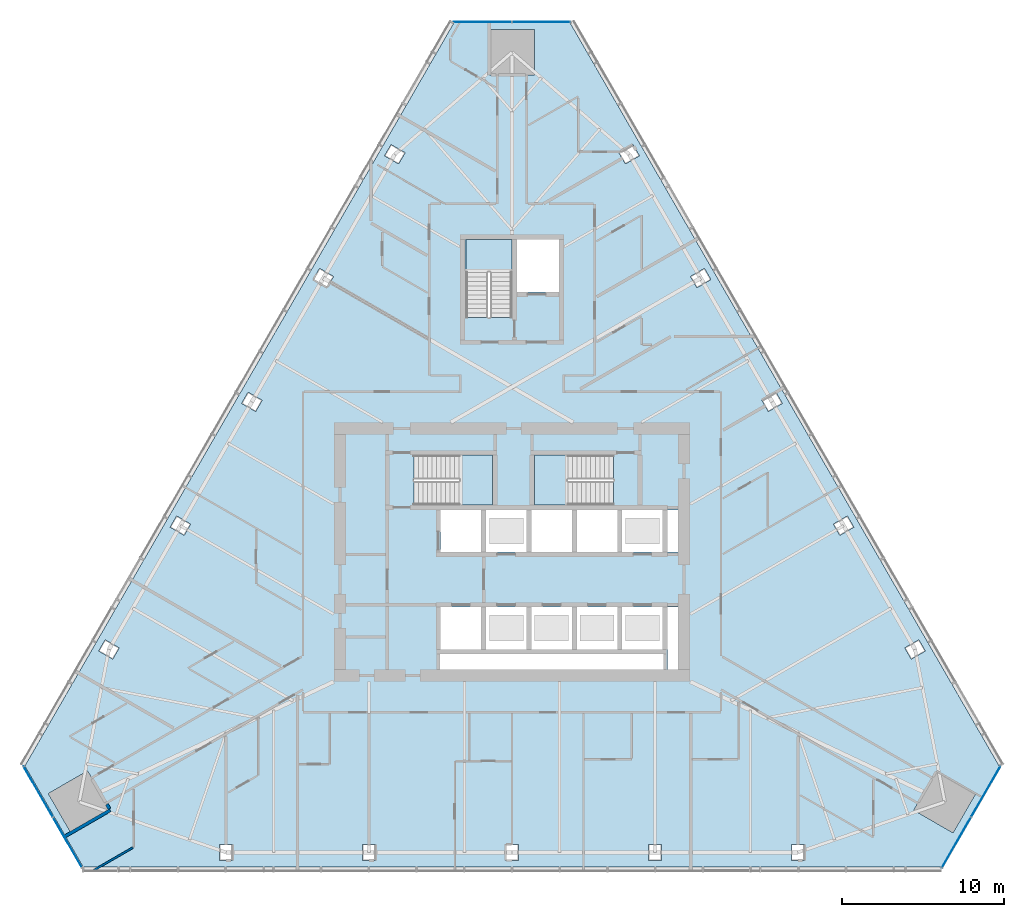
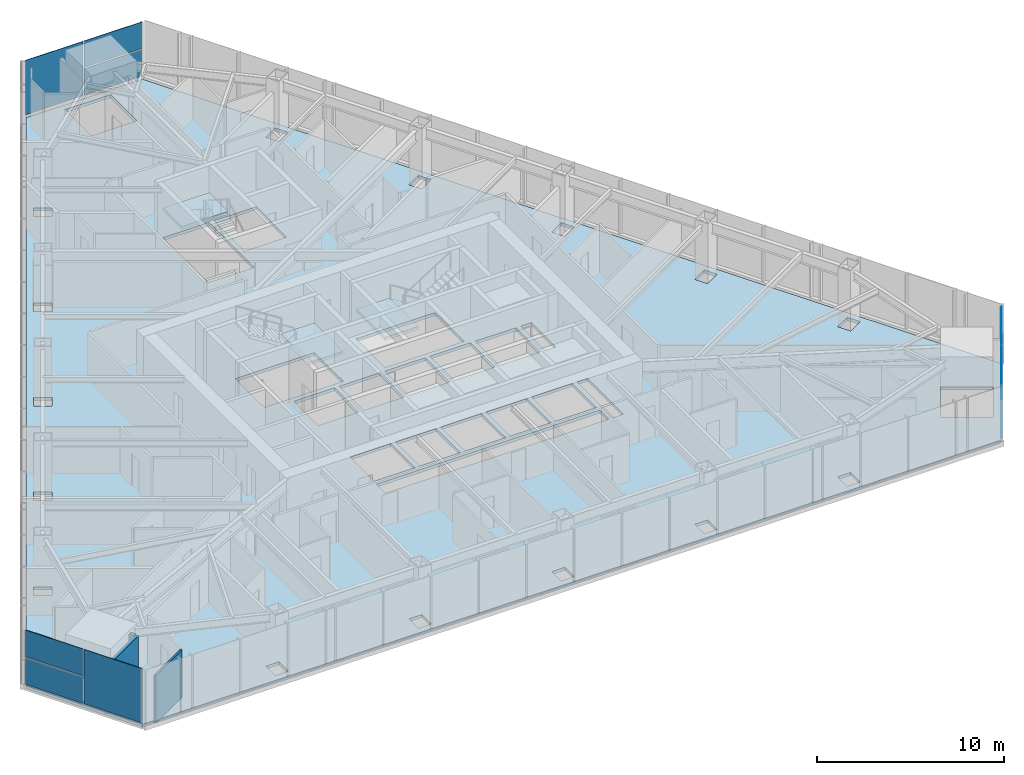
# One storey, part 12 of 19: 10 plates, 4 slabs, 3 walls, 6 elements without a shape of their own.
"""IFC4 building model written with IfcOpenShell, lengths in metres."""

from ifc_helpers import new_model, si_unit, direction, frame, frame_2d, origin, place, context, subcontext, project, spatial, polyline, rectangle, outline, extrude, material, layer, layer_set, type_object, element, aggregate, save


model = new_model("IFC4")

# Units and contexts
model_context = context("Model", 3, precision=1e-05, world=origin(), true_north=direction((0.0, 1.0)))
body_context = subcontext(model_context, "Body", "Model", "MODEL_VIEW")
ifc_project = project(units=[si_unit("LENGTHUNIT", "METRE"), si_unit("AREAUNIT", "SQUARE_METRE"), si_unit("VOLUMEUNIT", "CUBIC_METRE"), si_unit("PLANEANGLEUNIT", "RADIAN"), si_unit("MASSUNIT", "GRAM", prefix="KILO")], contexts=[model_context])

# Site, building, storey
site_placement = place(None, origin())
site = spatial("IfcSite", under=ifc_project, at=site_placement, CompositionType="ELEMENT")
building_placement = place(site_placement, origin())
building = spatial("IfcBuilding", under=site, at=building_placement, Name="Firuza Gate Tower and Library", CompositionType="ELEMENT")
storey_placement = place(building_placement, frame((0.0, 0.0, 183.10009765625)))
storey = spatial("IfcBuildingStorey", under=building, at=storey_placement, Name="L42", CompositionType="ELEMENT", Elevation=183.10009765625)

# Slab
ifc_material_1 = material(Name="Concrete C40/50", Category="concrete")
ifc_layer_1 = layer(ifc_material_1, 0.199951171875)
ifc_layer_set_1 = layer_set([ifc_layer_1], Name="Composite floor slab 200 C40/50")
slab_type_1 = type_object("IfcSlabType", Name="Composite floor slab 200 C40/50", PredefinedType="FLOOR", material=ifc_layer_set_1)
slab_1_placement = place(storey_placement, frame((0.0, 0.0, -0.2001953125)))
element("IfcSlab", 1, at=slab_1_placement, inside=storey, type_object=slab_type_1, Name="Floor slab L42", PredefinedType="FLOOR", context=body_context, shape_type="SweptSolid", body=[
    extrude(outline(polyline([(44.928466796875, 61.795166015625), (48.5283203125, 55.559814453125), (101.4716796875, 55.559814453125), (105.071533203125, 61.795166015625), (78.60009765625, 107.645263671875), (71.39990234375, 107.645263671875), (44.928466796875, 61.795166015625)]), holes=[polyline([(56.952392578125, 55.959716796875), (56.952392578125, 56.959716796875), (57.752197265625, 56.959716796875), (57.752197265625, 55.959716796875), (56.952392578125, 55.959716796875)]), polyline([(74.60009765625, 55.959716796875), (74.60009765625, 56.959716796875), (75.39990234375, 56.959716796875), (75.39990234375, 55.959716796875), (74.60009765625, 55.959716796875)]), polyline([(65.776123046875, 55.959716796875), (65.776123046875, 56.959716796875), (66.576171875, 56.959716796875), (66.576171875, 55.959716796875), (65.776123046875, 55.959716796875)]), polyline([(46.374755859375, 60.08984375), (48.7998046875, 61.48974609375), (50.19970703125, 59.06494140625), (47.77490234375, 57.6650390625), (46.374755859375, 60.08984375)]), polyline([(84.35009765625, 67.75), (70.550048828125, 67.75), (70.550048828125, 68.699951171875), (84.35009765625, 68.699951171875), (84.35009765625, 67.75)]), polyline([(49.88671875, 69.583251953125), (50.752685546875, 69.083251953125), (50.352783203125, 68.390380859375), (49.48681640625, 68.890380859375), (49.88671875, 69.583251953125)]), polyline([(73.10009765625, 69.0), (70.60009765625, 69.0), (70.60009765625, 71.60009765625), (73.10009765625, 71.60009765625), (73.10009765625, 69.0)]), polyline([(75.89990234375, 69.0), (73.39990234375, 69.0), (73.39990234375, 71.60009765625), (75.89990234375, 71.60009765625), (75.89990234375, 69.0)]), polyline([(73.10009765625, 75.0), (70.60009765625, 75.0), (70.60009765625, 77.60009765625), (73.10009765625, 77.60009765625), (73.10009765625, 75.0)]), polyline([(75.89990234375, 75.0), (73.39990234375, 75.0), (73.39990234375, 77.60009765625), (75.89990234375, 77.60009765625), (75.89990234375, 75.0)]), polyline([(54.298583984375, 77.224853515625), (55.164794921875, 76.724853515625), (54.7646484375, 76.031982421875), (53.898681640625, 76.531982421875), (54.298583984375, 77.224853515625)]), polyline([(73.81005859375, 77.89990234375), (68.9404296875, 77.89990234375), (68.9404296875, 80.97998046875), (73.81005859375, 80.97998046875), (73.81005859375, 77.89990234375)]), polyline([(58.710693359375, 84.866455078125), (59.57666015625, 84.366455078125), (59.1767578125, 83.673828125), (58.310546875, 84.173828125), (58.710693359375, 84.866455078125)]), polyline([(72.159912109375, 89.470458984375), (72.159912109375, 94.300048828125), (75.0, 94.300048828125), (75.0, 89.470458984375), (72.159912109375, 89.470458984375)]), polyline([(63.12255859375, 92.50830078125), (63.988525390625, 92.00830078125), (63.588623046875, 91.3154296875), (62.72265625, 91.8154296875), (63.12255859375, 92.50830078125)]), polyline([(75.300048828125, 91.050048828125), (75.300048828125, 94.300048828125), (77.89990234375, 94.300048828125), (77.89990234375, 91.050048828125), (75.300048828125, 91.050048828125)]), polyline([(68.400390625, 99.64990234375), (68.00048828125, 98.95703125), (67.134521484375, 99.45703125), (67.534423828125, 100.14990234375), (68.400390625, 99.64990234375)]), polyline([(76.39990234375, 107.2451171875), (76.39990234375, 104.4453125), (73.60009765625, 104.4453125), (73.60009765625, 107.2451171875), (76.39990234375, 107.2451171875)]), polyline([(92.247802734375, 55.959716796875), (92.247802734375, 56.959716796875), (93.047607421875, 56.959716796875), (93.047607421875, 55.959716796875), (92.247802734375, 55.959716796875)]), polyline([(83.423828125, 55.959716796875), (83.423828125, 56.959716796875), (84.223876953125, 56.959716796875), (84.223876953125, 55.959716796875), (83.423828125, 55.959716796875)]), polyline([(102.22509765625, 57.6650390625), (99.80029296875, 59.06494140625), (101.2001953125, 61.48974609375), (103.625244140625, 60.08984375), (102.22509765625, 57.6650390625)]), polyline([(100.51318359375, 68.890380859375), (99.647216796875, 68.390380859375), (99.247314453125, 69.083251953125), (100.11328125, 69.583251953125), (100.51318359375, 68.890380859375)]), polyline([(85.25, 67.75), (84.60009765625, 67.75), (84.60009765625, 71.60009765625), (85.25, 71.60009765625), (85.25, 67.75)]), polyline([(81.5, 69.0), (79.0, 69.0), (79.0, 71.60009765625), (81.5, 71.60009765625), (81.5, 69.0)]), polyline([(81.800048828125, 69.0), (81.800048828125, 71.60009765625), (84.300048828125, 71.60009765625), (84.300048828125, 69.0), (81.800048828125, 69.0)]), polyline([(76.199951171875, 69.0), (76.199951171875, 71.60009765625), (78.699951171875, 71.60009765625), (78.699951171875, 69.0), (76.199951171875, 69.0)]), polyline([(81.5, 75.0), (79.0, 75.0), (79.0, 77.60009765625), (81.5, 77.60009765625), (81.5, 75.0)]), polyline([(84.300048828125, 75.0), (81.800048828125, 75.0), (81.800048828125, 77.60009765625), (84.300048828125, 77.60009765625), (84.300048828125, 75.0)]), polyline([(85.25, 75.0), (84.60009765625, 75.0), (84.60009765625, 77.60009765625), (85.25, 77.60009765625), (85.25, 75.0)]), polyline([(78.699951171875, 75.0), (76.199951171875, 75.0), (76.199951171875, 77.60009765625), (78.699951171875, 77.60009765625), (78.699951171875, 75.0)]), polyline([(96.101318359375, 76.531982421875), (95.2353515625, 76.031982421875), (94.835205078125, 76.724853515625), (95.701416015625, 77.224853515625), (96.101318359375, 76.531982421875)]), polyline([(81.259521484375, 77.89990234375), (76.389892578125, 77.89990234375), (76.389892578125, 80.97998046875), (81.259521484375, 80.97998046875), (81.259521484375, 77.89990234375)]), polyline([(91.689453125, 84.173828125), (90.8232421875, 83.673828125), (90.42333984375, 84.366455078125), (91.289306640625, 84.866455078125), (91.689453125, 84.173828125)]), polyline([(86.411376953125, 91.3154296875), (86.011474609375, 92.00830078125), (86.87744140625, 92.50830078125), (87.27734375, 91.8154296875), (86.411376953125, 91.3154296875)]), polyline([(81.99951171875, 98.95703125), (81.599609375, 99.64990234375), (82.465576171875, 100.14990234375), (82.865478515625, 99.45703125), (81.99951171875, 98.95703125)])]), origin(), (0.0, 0.0, 1.0), 0.2001953125),
])

# Curtain wall, plates
ifc_material_2 = material(Name="Aluminium 6063-T6", Category="aluminium")
ifc_layer_2 = layer(ifc_material_2, 0.14990234375)
ifc_layer_set_2 = layer_set([ifc_layer_2], Name="Corner curtain wall, chamfers")
curtain_wall_type = type_object("IfcCurtainWallType", Name="Corner curtain wall, chamfers", PredefinedType="NOTDEFINED", material=ifc_layer_set_2)
placement_1 = place(storey_placement, origin())
curtain_wall_1 = element("IfcCurtainWall", 2, at=placement_1, inside=storey, type_object=curtain_wall_type, Name="CW4 L42 SE corner", PredefinedType="NOTDEFINED")
ifc_material_3 = material(Name="Fritted glass", Category="glass")
ifc_layer_3 = layer(ifc_material_3, 0.030029296875)
ifc_layer_set_3 = layer_set([ifc_layer_3], Name="Fritted glass unit, corners")
plate_type_1 = type_object("IfcPlateType", Name="Fritted glass unit, corners", PredefinedType="CURTAIN_PANEL", material=ifc_layer_set_3)
plate_1_placement = place(storey_placement, frame((101.5478515625, 55.511962890625, 0.14990234375), z_axis=(0.865999591991, -0.500044704672, 0.0), x_axis=(0.500044704672, 0.865999591991, 0.0)))
plate_1 = element("IfcPlate", 3, at=plate_1_placement, type_object=plate_type_1, Name="Glass unit", PredefinedType="CURTAIN_PANEL", context=body_context, shape_type="SweptSolid", body=[
    extrude(outline(polyline([(0.0, 0.0), (3.563157982880169, 0.0), (3.563157982880169, 1.735107421875), (0.0, 1.735107421875), (0.0, 0.0)])), origin(), (0.0, 0.0, -1.0), 0.030029296875),
])
plate_2_placement = place(storey_placement, frame((103.36962890625, 58.6669921875, 0.14990234375), z_axis=(0.866046390552, -0.49996364809, 0.0), x_axis=(0.49996364809, 0.866046390552, 0.0)))
plate_2 = element("IfcPlate", 4, at=plate_2_placement, type_object=plate_type_1, Name="Glass unit", PredefinedType="CURTAIN_PANEL", context=body_context, shape_type="SweptSolid", body=[
    extrude(outline(polyline([(0.0, 0.0), (3.563247342942594, 0.0), (3.563247342942594, 1.735107421875), (0.0, 1.735107421875), (0.0, 0.0)])), origin(), (0.0, 0.0, -1.0), 0.030029296875),
])

# Curtain wall, plate
curtain_wall_2 = element("IfcCurtainWall", 5, at=placement_1, inside=storey, type_object=curtain_wall_type, Name="CW4 L42 N corner", PredefinedType="NOTDEFINED")
plate_3_placement = place(storey_placement, frame((78.603271484375, 107.735107421875, 0.14990234375), z_axis=(0.0, 1.0, 0.0), x_axis=(-1.0, 0.0, 0.0)))
plate_3 = element("IfcPlate", 6, at=plate_3_placement, type_object=plate_type_1, Name="Glass unit", PredefinedType="CURTAIN_PANEL", context=body_context, shape_type="SweptSolid", body=[
    extrude(outline(polyline([(0.0, 0.0), (3.563232421875, 0.0), (3.563232421875, 1.735107421875), (0.0, 1.735107421875), (0.0, 0.0)])), origin(), (0.0, 0.0, -1.0), 0.030029296875),
])

curtain_wall_3 = element("IfcCurtainWall", 7, at=placement_1, inside=storey, type_object=curtain_wall_type, Name="CW4 L42 SW corner", PredefinedType="NOTDEFINED")
plate_4_placement = place(storey_placement, frame((44.848876953125, 61.7529296875, 0.14990234375), z_axis=(-0.866046390552, -0.49996364809, 0.0), x_axis=(0.49996364809, -0.866046390552, 0.0)))
plate_4 = element("IfcPlate", 8, at=plate_4_placement, type_object=plate_type_1, Name="Glass unit", PredefinedType="CURTAIN_PANEL", context=body_context, shape_type="SweptSolid", body=[
    extrude(outline(polyline([(0.0, 0.0), (3.563247342942594, 0.0), (3.563247342942594, 1.735107421875), (0.0, 1.735107421875), (0.0, 0.0)])), origin(), (0.0, 0.0, -1.0), 0.030029296875),
])

# Plate
ifc_material_4 = material(Name="Glazed ceramic tile")
ifc_layer_4 = layer(ifc_material_4, 0.030029296875)
ifc_layer_set_4 = layer_set([ifc_layer_4], Name="Opaque ceramic panel, corners")
plate_type_2 = type_object("IfcPlateType", Name="Opaque ceramic panel, corners", PredefinedType="CURTAIN_PANEL", material=ifc_layer_set_4)
plate_5_placement = place(storey_placement, frame((101.5478515625, 55.511962890625, 1.96484375), z_axis=(0.865999591991, -0.500044704672, 0.0), x_axis=(0.500044704672, 0.865999591991, 0.0)))
plate_5 = element("IfcPlate", 9, at=plate_5_placement, type_object=plate_type_2, Name="Opaque ceramic panel", PredefinedType="CURTAIN_PANEL", context=body_context, shape_type="SweptSolid", body=[
    extrude(outline(polyline([(0.0, 0.0), (3.563157982880169, 0.0), (3.563157982880169, 1.735107421875), (0.0, 1.735107421875), (0.0, 0.0)])), origin(), (0.0, 0.0, -1.0), 0.030029296875),
])

plate_6_placement = place(storey_placement, frame((103.36962890625, 58.6669921875, 1.96484375), z_axis=(0.866046390552, -0.49996364809, 0.0), x_axis=(0.49996364809, 0.866046390552, 0.0)))
plate_6 = element("IfcPlate", 10, at=plate_6_placement, type_object=plate_type_2, Name="Opaque ceramic panel", PredefinedType="CURTAIN_PANEL", context=body_context, shape_type="SweptSolid", body=[
    extrude(outline(polyline([(0.0, 0.0), (3.563247342942594, 0.0), (3.563247342942594, 1.735107421875), (0.0, 1.735107421875), (0.0, 0.0)])), origin(), (0.0, 0.0, -1.0), 0.030029296875),
])

aggregate(curtain_wall_1, [plate_1, plate_5, plate_2, plate_6])

plate_7_placement = place(storey_placement, frame((78.603271484375, 107.735107421875, 1.96484375), z_axis=(0.0, 1.0, 0.0), x_axis=(-1.0, 0.0, 0.0)))
plate_7 = element("IfcPlate", 11, at=plate_7_placement, type_object=plate_type_2, Name="Opaque ceramic panel", PredefinedType="CURTAIN_PANEL", context=body_context, shape_type="SweptSolid", body=[
    extrude(outline(polyline([(0.0, 0.0), (3.563232421875, 0.0), (3.563232421875, 1.735107421875), (0.0, 1.735107421875), (0.0, 0.0)])), origin(), (0.0, 0.0, -1.0), 0.030029296875),
])

plate_8_placement = place(storey_placement, frame((74.9599609375, 107.735107421875, 0.14990234375), z_axis=(0.0, 1.0, 0.0), x_axis=(-1.0, 0.0, 0.0)))
plate_8 = element("IfcPlate", 12, at=plate_8_placement, type_object=plate_type_2, Name="Opaque ceramic panel", PredefinedType="CURTAIN_PANEL", context=body_context, shape_type="SweptSolid", body=[
    extrude(outline(polyline([(0.0, 0.0), (3.563232421875, 0.0), (3.563232421875, 3.550048828125), (0.0, 3.550048828125), (0.0, 0.0)])), origin(), (0.0, 0.0, -1.0), 0.030029296875),
])

aggregate(curtain_wall_2, [plate_3, plate_7, plate_8])

plate_9_placement = place(storey_placement, frame((44.848876953125, 61.7529296875, 1.96484375), z_axis=(-0.866046390552, -0.49996364809, 0.0), x_axis=(0.49996364809, -0.866046390552, 0.0)))
plate_9 = element("IfcPlate", 13, at=plate_9_placement, type_object=plate_type_2, Name="Opaque ceramic panel", PredefinedType="CURTAIN_PANEL", context=body_context, shape_type="SweptSolid", body=[
    extrude(outline(polyline([(0.0, 0.0), (3.563247342942594, 0.0), (3.563247342942594, 1.735107421875), (0.0, 1.735107421875), (0.0, 0.0)])), origin(), (0.0, 0.0, -1.0), 0.030029296875),
])

plate_10_placement = place(storey_placement, frame((46.67041015625, 58.59765625, 0.14990234375), z_axis=(-0.865999591991, -0.500044704672, 0.0), x_axis=(0.500044704672, -0.865999591991, 0.0)))
plate_10 = element("IfcPlate", 14, at=plate_10_placement, type_object=plate_type_2, Name="Opaque ceramic panel", PredefinedType="CURTAIN_PANEL", context=body_context, shape_type="SweptSolid", body=[
    extrude(outline(polyline([(0.0, 0.0), (3.563157982880169, 0.0), (3.563157982880169, 3.550048828125), (0.0, 3.550048828125), (0.0, 0.0)])), origin(), (0.0, 0.0, -1.0), 0.030029296875),
])

aggregate(curtain_wall_3, [plate_4, plate_9, plate_10])

# Stair, slab
ifc_material_5 = material(Name="Concrete C35/45", Category="concrete")
stair_type_1 = type_object("IfcStairType", Name="Exit stair ST7", PredefinedType="HALF_TURN_STAIR", material=ifc_material_5)
stair_1 = element("IfcStair", 15, at=placement_1, inside=storey, type_object=stair_type_1, Name="L42 Stair ST1", PredefinedType="HALF_TURN_STAIR")
ifc_material_6 = material(Name="Concrete C35/45", Category="concrete")
ifc_layer_5 = layer(ifc_material_6, 0.199951171875)
ifc_layer_set_5 = layer_set([ifc_layer_5], Name="Stair landing 200")
slab_type_2 = type_object("IfcSlabType", Name="Stair landing 200", PredefinedType="LANDING", material=ifc_layer_set_5)
placement_2 = place(storey_placement, frame((0.0, 0.0, 1.75)))
slab_2 = element("IfcSlab", 16, at=placement_2, type_object=slab_type_2, Name="ST1 landing 1", PredefinedType="LANDING", context=body_context, shape_type="SweptSolid", body=[
    extrude(outline(polyline([(71.739990234375, 77.89990234375), (73.81005859375, 77.89990234375), (73.81005859375, 80.97998046875), (71.739990234375, 80.97998046875), (71.739990234375, 77.89990234375)])), origin(), (0.0, 0.0, 1.0), 0.199951171875),
])
aggregate(stair_1, [slab_2])

stair_2 = element("IfcStair", 17, at=placement_1, inside=storey, type_object=stair_type_1, Name="L42 Stair ST2", PredefinedType="HALF_TURN_STAIR")
slab_3 = element("IfcSlab", 18, at=placement_2, type_object=slab_type_2, Name="ST2 landing 1", PredefinedType="LANDING", context=body_context, shape_type="SweptSolid", body=[
    extrude(outline(polyline([(78.4599609375, 80.97998046875), (76.389892578125, 80.97998046875), (76.389892578125, 77.89990234375), (78.4599609375, 77.89990234375), (78.4599609375, 80.97998046875)])), origin(), (0.0, 0.0, 1.0), 0.199951171875),
])
aggregate(stair_2, [slab_3])

ifc_material_7 = material(Name="Concrete C35/45", Category="concrete")
stair_type_2 = type_object("IfcStairType", Name="Exit stair ST16", PredefinedType="HALF_TURN_STAIR", material=ifc_material_7)
stair_3 = element("IfcStair", 19, at=placement_1, inside=storey, type_object=stair_type_2, Name="L42 Stair ST3", PredefinedType="HALF_TURN_STAIR")
slab_4 = element("IfcSlab", 20, at=placement_2, type_object=slab_type_2, Name="ST3 landing 1", PredefinedType="LANDING", context=body_context, shape_type="SweptSolid", body=[
    extrude(outline(polyline([(75.0, 92.27001953125), (75.0, 94.300048828125), (72.159912109375, 94.300048828125), (72.159912109375, 92.27001953125), (75.0, 92.27001953125)])), origin(), (0.0, 0.0, 1.0), 0.199951171875),
])
aggregate(stair_3, [slab_4])

# Walls
ifc_material_8 = material(Name="Gypsum board partition")
ifc_layer_6 = layer(ifc_material_8, 0.199951171875)
ifc_layer_set_6 = layer_set([ifc_layer_6], Name="Demising wall 200 acoustic double stud")
wall_type_1 = type_object("IfcWallType", Name="Demising wall 200 acoustic double stud", PredefinedType="PARTITIONING", material=ifc_layer_set_6)
wall_1_placement = place(storey_placement, frame((47.37646484375, 57.43505859375, 0.0), z_axis=(0.0, 0.0, 1.0), x_axis=(0.866035906198, 0.499981808845, 0.0)))
element("IfcWall", 21, at=wall_1_placement, inside=storey, type_object=wall_type_1, Name="f:L42:w024", PredefinedType="PARTITIONING", context=body_context, shape_type="SweptSolid", body=[
    extrude(rectangle(XDim=3.25927734375, YDim=0.199951171875, at=frame_2d((1.629638671875, 0.0))), origin(), (0.0, 0.0, 1.0), 3.099853515625),
])
wall_2_placement = place(storey_placement, frame((50.149658203125, 59.152099609375, 0.0), z_axis=(0.0, 0.0, 1.0), x_axis=(-0.499939380126, 0.866060399857, 0.0)))
element("IfcWall", 22, at=wall_2_placement, inside=storey, type_object=wall_type_1, Name="f:L42:w082", PredefinedType="PARTITIONING", context=body_context, shape_type="SweptSolid", body=[
    extrude(rectangle(XDim=0.32470703125, YDim=0.199951171875, at=frame_2d((0.162353515625, 0.0))), origin(), (0.0, 0.0, 1.0), 3.099853515625),
])
ifc_material_9 = material(Name="Gypsum board partition")
ifc_layer_7 = layer(ifc_material_9, 0.1201171875)
ifc_layer_set_7 = layer_set([ifc_layer_7], Name="Wet-area partition 120 moisture-resistant board")
wall_type_2 = type_object("IfcWallType", Name="Wet-area partition 120 moisture-resistant board", PredefinedType="PARTITIONING", material=ifc_layer_set_7)
wall_3_placement = place(storey_placement, frame((49.181884765625, 55.359619140625, 0.0), z_axis=(0.0, 0.0, 1.0), x_axis=(0.86601027972, 0.500026194733, 0.0)))
element("IfcWall", 23, at=wall_3_placement, inside=storey, type_object=wall_type_2, Name="f:L42:w021", PredefinedType="PARTITIONING", context=body_context, shape_type="SweptSolid", body=[
    extrude(rectangle(XDim=2.782958984375, YDim=0.1201171875, at=frame_2d((1.3916015625, 0.0))), origin(), (0.0, 0.0, 1.0), 3.099853515625),
])

save(model, "model.ifc")
